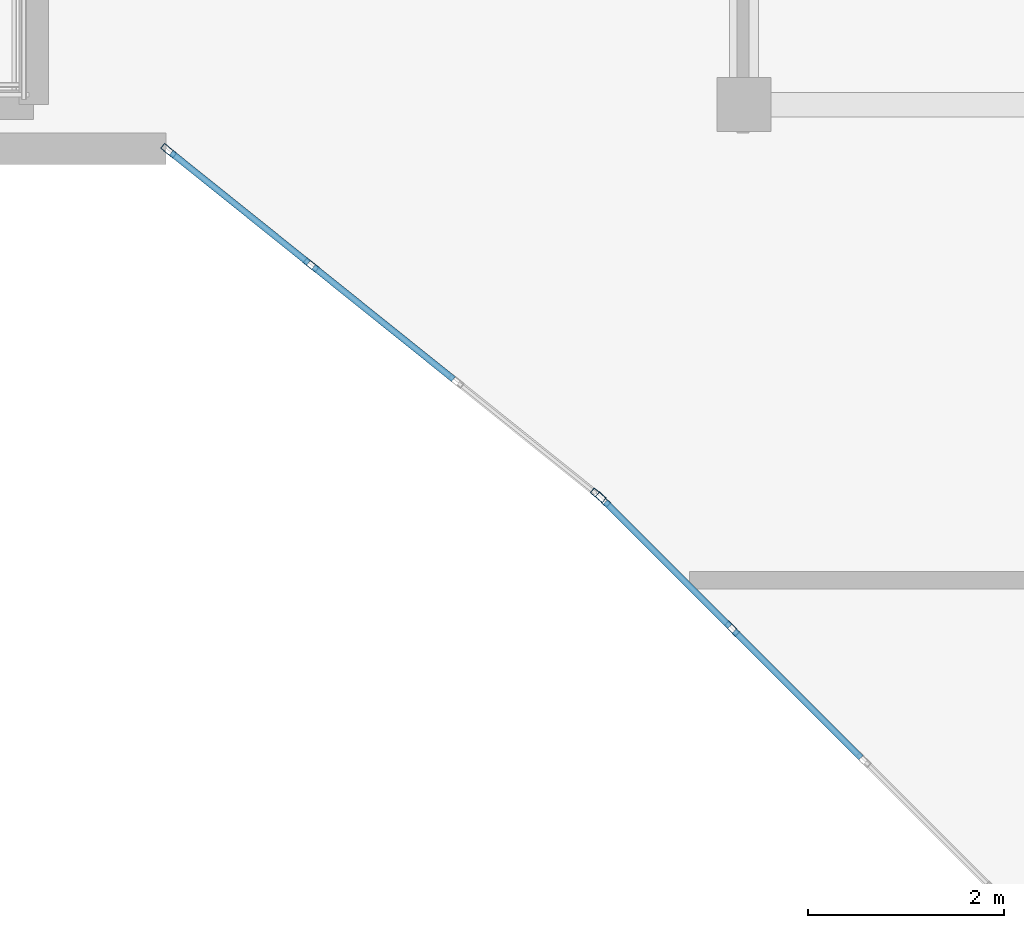
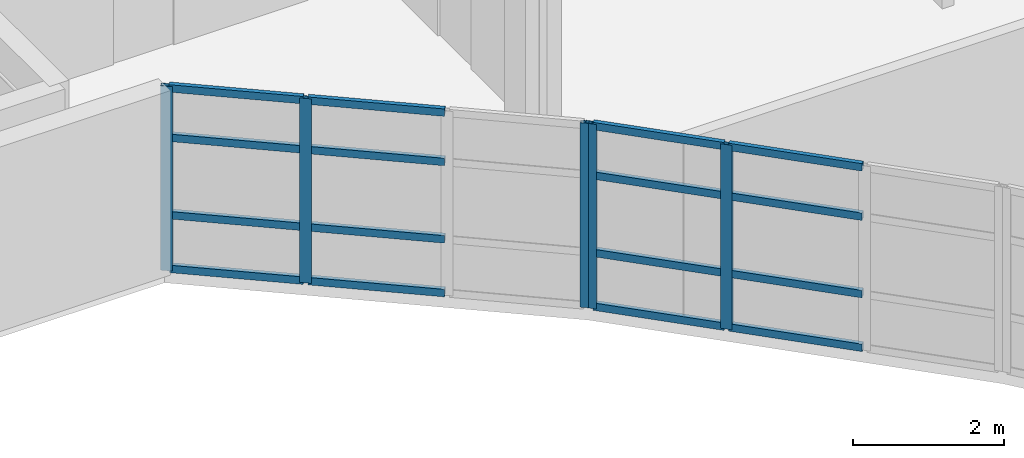
# One storey, part 17 of 54: 21 members, 2 elements without a shape of their own.
"""IFC4 building model written with IfcOpenShell, lengths in metres."""

from ifc_helpers import new_model, si_unit, direction, frame, origin, origin_2d, place, context, subcontext, project, spatial, hollow_rectangle, extrude, material, layer, layer_set, material_profile, profile_set, type_object, element, aggregate, save


model = new_model("IFC4")

# Units and contexts
model_context = context("Model", 3, precision=1e-05, world=origin(), true_north=direction((0.0, 1.0)))
body_context = subcontext(model_context, "Body", "Model", "MODEL_VIEW")
ifc_project = project(units=[si_unit("LENGTHUNIT", "METRE"), si_unit("AREAUNIT", "SQUARE_METRE"), si_unit("VOLUMEUNIT", "CUBIC_METRE"), si_unit("PLANEANGLEUNIT", "RADIAN"), si_unit("MASSUNIT", "GRAM", prefix="KILO")], contexts=[model_context])

# Site, building, storey
site_placement = place(None, origin())
site = spatial("IfcSite", under=ifc_project, at=site_placement, CompositionType="ELEMENT")
building_placement = place(site_placement, origin())
building = spatial("IfcBuilding", under=site, at=building_placement, Name="Keldmere Railside Commons", CompositionType="ELEMENT")
storey_placement = place(building_placement, frame((0.0, 0.0, 26.56005859375)))
storey = spatial("IfcBuildingStorey", under=building, at=storey_placement, Name="L08", CompositionType="ELEMENT", Elevation=26.56005859375)

# Curtain wall, members
ifc_material = material(Name="Thermally Broken Aluminium", Category="aluminium")
ifc_layer_1 = layer(ifc_material, 0.159912109375, Name="Court Chord Wintergarden CW 5400x2850")
ifc_layer_set_1 = layer_set([ifc_layer_1], Name="Thermally Broken Aluminium")
curtain_wall_type_1 = type_object("IfcCurtainWallType", Name="Court Chord Wintergarden CW 5400x2850", PredefinedType="NOTDEFINED", material=ifc_layer_set_1)
curtain_wall_1_placement = place(storey_placement, origin())
curtain_wall_1 = element("IfcCurtainWall", 1, at=curtain_wall_1_placement, inside=storey, type_object=curtain_wall_type_1, Name="CW-13 CW-L08-181", PredefinedType="NOTDEFINED")
ifc_material_profile_1 = material_profile(ifc_material, hollow_rectangle(XDim=0.06494140625, YDim=0.159912109375, WallThickness=0.00390625, at=origin_2d()), Name="ALU-MULL-65x160")
ifc_profile_set_1 = profile_set([ifc_material_profile_1], Name="Thermally Broken Aluminium")
member_type_1 = type_object("IfcMemberType", Name="Unitised Curtain Wall Mullion 65x160", PredefinedType="MULLION", material=ifc_profile_set_1)
member_1_placement = place(storey_placement, frame((160.404541015625, 96.46630859375, 0.0), z_axis=(0.0, 0.0, 1.0), x_axis=(-0.625768080915, -0.780009172323, 0.0)))
member_1 = element("IfcMember", 2, at=member_1_placement, type_object=member_type_1, Name="CW-13 mullion 1", PredefinedType="MULLION", context=body_context, shape_type="SweptSolid", body=[
    extrude(hollow_rectangle(XDim=0.06494140625, YDim=0.159912109375, WallThickness=0.00390625, at=origin_2d()), origin(), (0.0, 0.0, 1.0), 2.97998046875),
])
member_2_placement = place(storey_placement, frame((157.4765625, 98.8154296875, 0.0), z_axis=(0.0, 0.0, 1.0), x_axis=(-0.625768080915, -0.780009172323, 0.0)))
member_2 = element("IfcMember", 3, at=member_2_placement, type_object=member_type_1, Name="CW-13 mullion 3", PredefinedType="MULLION", context=body_context, shape_type="SweptSolid", body=[
    extrude(hollow_rectangle(XDim=0.06494140625, YDim=0.159912109375, WallThickness=0.00390625, at=origin_2d()), origin(), (0.0, 0.0, 1.0), 2.97998046875),
])
member_3_placement = place(storey_placement, frame((156.025390625, 99.979736328125, 0.0), z_axis=(0.0, 0.0, 1.0), x_axis=(-0.625768080915, -0.780009172323, 0.0)))
member_3 = element("IfcMember", 4, at=member_3_placement, type_object=member_type_1, Name="CW-13 mullion 4", PredefinedType="MULLION", context=body_context, shape_type="SweptSolid", body=[
    extrude(hollow_rectangle(XDim=0.06494140625, YDim=0.159912109375, WallThickness=0.00390625, at=origin_2d()), origin(), (0.0, 0.0, 1.0), 2.97998046875),
])

ifc_layer_2 = layer(ifc_material, 0.159912109375, Name="Court Chord Wintergarden CW 4800x2850")
ifc_layer_set_2 = layer_set([ifc_layer_2], Name="Thermally Broken Aluminium")
curtain_wall_type_2 = type_object("IfcCurtainWallType", Name="Court Chord Wintergarden CW 4800x2850", PredefinedType="NOTDEFINED", material=ifc_layer_set_2)
curtain_wall_2_placement = place(storey_placement, origin())
curtain_wall_2 = element("IfcCurtainWall", 5, at=curtain_wall_2_placement, inside=storey, type_object=curtain_wall_type_2, Name="CW-12 CW-L08-182", PredefinedType="NOTDEFINED")
member_4_placement = place(storey_placement, frame((161.7685546875, 95.107421875, 0.0), z_axis=(0.0, 0.0, 1.0), x_axis=(-0.707106781187, -0.707106781187, 0.0)))
member_4 = element("IfcMember", 6, at=member_4_placement, type_object=member_type_1, Name="CW-12 mullion 3", PredefinedType="MULLION", context=body_context, shape_type="SweptSolid", body=[
    extrude(hollow_rectangle(XDim=0.06494140625, YDim=0.159912109375, WallThickness=0.00390625, at=origin_2d()), origin(), (0.0, 0.0, 1.0), 2.97998046875),
])
member_5_placement = place(storey_placement, frame((160.452880859375, 96.423095703125, 0.0), z_axis=(0.0, 0.0, 1.0), x_axis=(-0.707106781187, -0.707106781187, 0.0)))
member_5 = element("IfcMember", 7, at=member_5_placement, type_object=member_type_1, Name="CW-12 mullion 4", PredefinedType="MULLION", context=body_context, shape_type="SweptSolid", body=[
    extrude(hollow_rectangle(XDim=0.06494140625, YDim=0.159912109375, WallThickness=0.00390625, at=origin_2d()), origin(), (0.0, 0.0, 1.0), 2.97998046875),
])

# Member
ifc_material_profile_2 = material_profile(ifc_material, hollow_rectangle(XDim=0.06494140625, YDim=0.1201171875, WallThickness=0.00390625, at=origin_2d()), Name="ALU-TRAN-65x120")
ifc_profile_set_2 = profile_set([ifc_material_profile_2], Name="Thermally Broken Aluminium")
member_type_2 = type_object("IfcMemberType", Name="Unitised Curtain Wall Transom 65x120", PredefinedType="USERDEFINED", material=ifc_profile_set_2)
member_6_placement = place(storey_placement, frame((158.927978515625, 97.651123046875, 0.032470703125), z_axis=(-0.78007338409, 0.625688033635, 0.0), x_axis=(-0.625688033635, -0.78007338409, 0.0)))
member_6 = element("IfcMember", 8, at=member_6_placement, type_object=member_type_2, Name="CW-13 transom 2.1", ObjectType="TRANSOM", PredefinedType="USERDEFINED", context=body_context, shape_type="SweptSolid", body=[
    extrude(hollow_rectangle(XDim=0.06494140625, YDim=0.1201171875, WallThickness=0.00390625, at=origin_2d()), origin(), (0.0, 0.0, 1.0), 1.828125),
])

member_7_placement = place(storey_placement, frame((158.927978515625, 97.651123046875, 0.89990234375), z_axis=(-0.78007338409, 0.625688033635, 0.0), x_axis=(-0.625688033635, -0.78007338409, 0.0)))
member_7 = element("IfcMember", 9, at=member_7_placement, type_object=member_type_2, Name="CW-13 transom 2.2", ObjectType="TRANSOM", PredefinedType="USERDEFINED", context=body_context, shape_type="SweptSolid", body=[
    extrude(hollow_rectangle(XDim=0.06494140625, YDim=0.1201171875, WallThickness=0.00390625, at=origin_2d()), origin(), (0.0, 0.0, 1.0), 1.828125),
])

member_8_placement = place(storey_placement, frame((158.927978515625, 97.651123046875, 2.14990234375), z_axis=(-0.78007338409, 0.625688033635, 0.0), x_axis=(-0.625688033635, -0.78007338409, 0.0)))
member_8 = element("IfcMember", 10, at=member_8_placement, type_object=member_type_2, Name="CW-13 transom 2.3", ObjectType="TRANSOM", PredefinedType="USERDEFINED", context=body_context, shape_type="SweptSolid", body=[
    extrude(hollow_rectangle(XDim=0.06494140625, YDim=0.1201171875, WallThickness=0.00390625, at=origin_2d()), origin(), (0.0, 0.0, 1.0), 1.828125),
])

member_9_placement = place(storey_placement, frame((158.927978515625, 97.651123046875, 2.947509765625), z_axis=(-0.78007338409, 0.625688033635, 0.0), x_axis=(-0.625688033635, -0.78007338409, 0.0)))
member_9 = element("IfcMember", 11, at=member_9_placement, type_object=member_type_2, Name="CW-13 transom 2.4", ObjectType="TRANSOM", PredefinedType="USERDEFINED", context=body_context, shape_type="SweptSolid", body=[
    extrude(hollow_rectangle(XDim=0.06494140625, YDim=0.1201171875, WallThickness=0.00390625, at=origin_2d()), origin(), (0.0, 0.0, 1.0), 1.828125),
])

member_10_placement = place(storey_placement, frame((157.451416015625, 98.835693359375, 0.032470703125), z_axis=(-0.780045694992, 0.625722553313, 0.0), x_axis=(-0.625722553313, -0.780045694992, 0.0)))
member_10 = element("IfcMember", 12, at=member_10_placement, type_object=member_type_2, Name="CW-13 transom 3.1", ObjectType="TRANSOM", PredefinedType="USERDEFINED", context=body_context, shape_type="SweptSolid", body=[
    extrude(hollow_rectangle(XDim=0.06494140625, YDim=0.1201171875, WallThickness=0.00390625, at=origin_2d()), origin(), (0.0, 0.0, 1.0), 1.795654296875),
])

member_11_placement = place(storey_placement, frame((157.451416015625, 98.835693359375, 0.89990234375), z_axis=(-0.780045694992, 0.625722553313, 0.0), x_axis=(-0.625722553313, -0.780045694992, 0.0)))
member_11 = element("IfcMember", 13, at=member_11_placement, type_object=member_type_2, Name="CW-13 transom 3.2", ObjectType="TRANSOM", PredefinedType="USERDEFINED", context=body_context, shape_type="SweptSolid", body=[
    extrude(hollow_rectangle(XDim=0.06494140625, YDim=0.1201171875, WallThickness=0.00390625, at=origin_2d()), origin(), (0.0, 0.0, 1.0), 1.795654296875),
])

member_12_placement = place(storey_placement, frame((157.451416015625, 98.835693359375, 2.14990234375), z_axis=(-0.780045694992, 0.625722553313, 0.0), x_axis=(-0.625722553313, -0.780045694992, 0.0)))
member_12 = element("IfcMember", 14, at=member_12_placement, type_object=member_type_2, Name="CW-13 transom 3.3", ObjectType="TRANSOM", PredefinedType="USERDEFINED", context=body_context, shape_type="SweptSolid", body=[
    extrude(hollow_rectangle(XDim=0.06494140625, YDim=0.1201171875, WallThickness=0.00390625, at=origin_2d()), origin(), (0.0, 0.0, 1.0), 1.795654296875),
])

member_13_placement = place(storey_placement, frame((157.451416015625, 98.835693359375, 2.947509765625), z_axis=(-0.780045694992, 0.625722553313, 0.0), x_axis=(-0.625722553313, -0.780045694992, 0.0)))
member_13 = element("IfcMember", 15, at=member_13_placement, type_object=member_type_2, Name="CW-13 transom 3.4", ObjectType="TRANSOM", PredefinedType="USERDEFINED", context=body_context, shape_type="SweptSolid", body=[
    extrude(hollow_rectangle(XDim=0.06494140625, YDim=0.1201171875, WallThickness=0.00390625, at=origin_2d()), origin(), (0.0, 0.0, 1.0), 1.795654296875),
])

aggregate(curtain_wall_1, [member_1, member_2, member_3, member_6, member_7, member_8, member_9, member_10, member_11, member_12, member_13])

member_14_placement = place(storey_placement, frame((163.08447265625, 93.791748046875, 0.032470703125), z_axis=(-0.707106781187, 0.707106781187, 0.0), x_axis=(-0.707106781187, -0.707106781187, 0.0)))
member_14 = element("IfcMember", 16, at=member_14_placement, type_object=member_type_2, Name="CW-12 transom 2.1", ObjectType="TRANSOM", PredefinedType="USERDEFINED", context=body_context, shape_type="SweptSolid", body=[
    extrude(hollow_rectangle(XDim=0.06494140625, YDim=0.1201171875, WallThickness=0.00390625, at=origin_2d()), origin(), (0.0, 0.0, 1.0), 1.828125),
])

member_15_placement = place(storey_placement, frame((163.08447265625, 93.791748046875, 0.89990234375), z_axis=(-0.707106781187, 0.707106781187, 0.0), x_axis=(-0.707106781187, -0.707106781187, 0.0)))
member_15 = element("IfcMember", 17, at=member_15_placement, type_object=member_type_2, Name="CW-12 transom 2.2", ObjectType="TRANSOM", PredefinedType="USERDEFINED", context=body_context, shape_type="SweptSolid", body=[
    extrude(hollow_rectangle(XDim=0.06494140625, YDim=0.1201171875, WallThickness=0.00390625, at=origin_2d()), origin(), (0.0, 0.0, 1.0), 1.828125),
])

member_16_placement = place(storey_placement, frame((163.08447265625, 93.791748046875, 2.14990234375), z_axis=(-0.707106781187, 0.707106781187, 0.0), x_axis=(-0.707106781187, -0.707106781187, 0.0)))
member_16 = element("IfcMember", 18, at=member_16_placement, type_object=member_type_2, Name="CW-12 transom 2.3", ObjectType="TRANSOM", PredefinedType="USERDEFINED", context=body_context, shape_type="SweptSolid", body=[
    extrude(hollow_rectangle(XDim=0.06494140625, YDim=0.1201171875, WallThickness=0.00390625, at=origin_2d()), origin(), (0.0, 0.0, 1.0), 1.828125),
])

member_17_placement = place(storey_placement, frame((163.08447265625, 93.791748046875, 2.947509765625), z_axis=(-0.707106781187, 0.707106781187, 0.0), x_axis=(-0.707106781187, -0.707106781187, 0.0)))
member_17 = element("IfcMember", 19, at=member_17_placement, type_object=member_type_2, Name="CW-12 transom 2.4", ObjectType="TRANSOM", PredefinedType="USERDEFINED", context=body_context, shape_type="SweptSolid", body=[
    extrude(hollow_rectangle(XDim=0.06494140625, YDim=0.1201171875, WallThickness=0.00390625, at=origin_2d()), origin(), (0.0, 0.0, 1.0), 1.828125),
])

member_18_placement = place(storey_placement, frame((161.74560546875, 95.13037109375, 0.032470703125), z_axis=(-0.707038793419, 0.707174762418, 0.0), x_axis=(-0.707174762418, -0.707038793419, 0.0)))
member_18 = element("IfcMember", 20, at=member_18_placement, type_object=member_type_2, Name="CW-12 transom 3.1", ObjectType="TRANSOM", PredefinedType="USERDEFINED", context=body_context, shape_type="SweptSolid", body=[
    extrude(hollow_rectangle(XDim=0.06494140625, YDim=0.1201171875, WallThickness=0.00390625, at=origin_2d()), origin(), (0.0, 0.0, 1.0), 1.795654296875),
])

member_19_placement = place(storey_placement, frame((161.74560546875, 95.13037109375, 0.89990234375), z_axis=(-0.707038793419, 0.707174762418, 0.0), x_axis=(-0.707174762418, -0.707038793419, 0.0)))
member_19 = element("IfcMember", 21, at=member_19_placement, type_object=member_type_2, Name="CW-12 transom 3.2", ObjectType="TRANSOM", PredefinedType="USERDEFINED", context=body_context, shape_type="SweptSolid", body=[
    extrude(hollow_rectangle(XDim=0.06494140625, YDim=0.1201171875, WallThickness=0.00390625, at=origin_2d()), origin(), (0.0, 0.0, 1.0), 1.795654296875),
])

member_20_placement = place(storey_placement, frame((161.74560546875, 95.13037109375, 2.14990234375), z_axis=(-0.707038793419, 0.707174762418, 0.0), x_axis=(-0.707174762418, -0.707038793419, 0.0)))
member_20 = element("IfcMember", 22, at=member_20_placement, type_object=member_type_2, Name="CW-12 transom 3.3", ObjectType="TRANSOM", PredefinedType="USERDEFINED", context=body_context, shape_type="SweptSolid", body=[
    extrude(hollow_rectangle(XDim=0.06494140625, YDim=0.1201171875, WallThickness=0.00390625, at=origin_2d()), origin(), (0.0, 0.0, 1.0), 1.795654296875),
])

member_21_placement = place(storey_placement, frame((161.74560546875, 95.13037109375, 2.947509765625), z_axis=(-0.707038793419, 0.707174762418, 0.0), x_axis=(-0.707174762418, -0.707038793419, 0.0)))
member_21 = element("IfcMember", 23, at=member_21_placement, type_object=member_type_2, Name="CW-12 transom 3.4", ObjectType="TRANSOM", PredefinedType="USERDEFINED", context=body_context, shape_type="SweptSolid", body=[
    extrude(hollow_rectangle(XDim=0.06494140625, YDim=0.1201171875, WallThickness=0.00390625, at=origin_2d()), origin(), (0.0, 0.0, 1.0), 1.795654296875),
])

aggregate(curtain_wall_2, [member_4, member_5, member_14, member_15, member_16, member_17, member_18, member_19, member_20, member_21])

save(model, "model.ifc")
